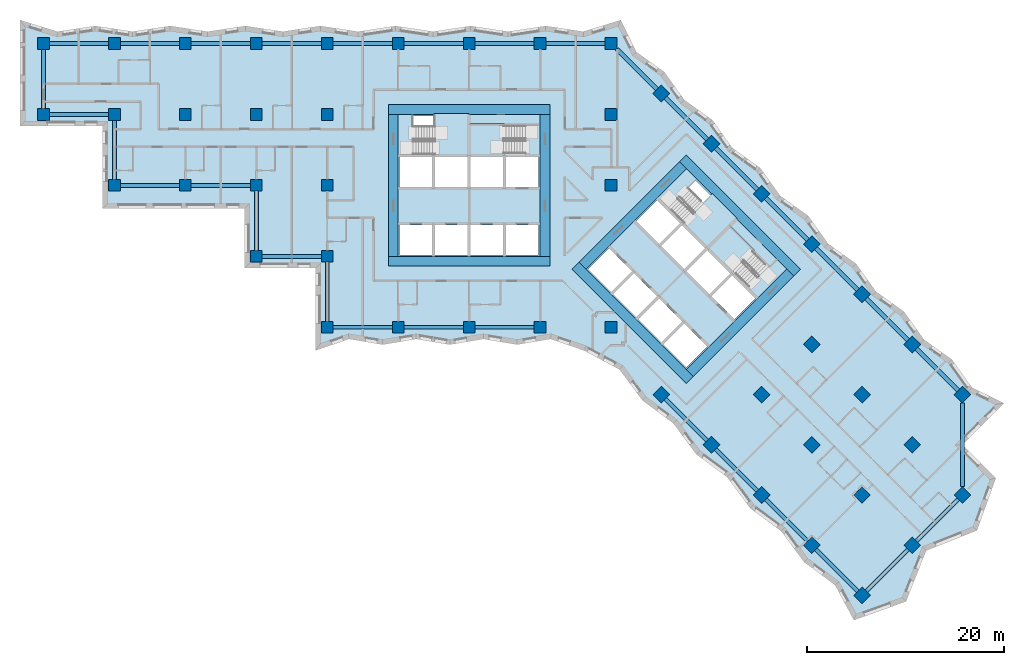
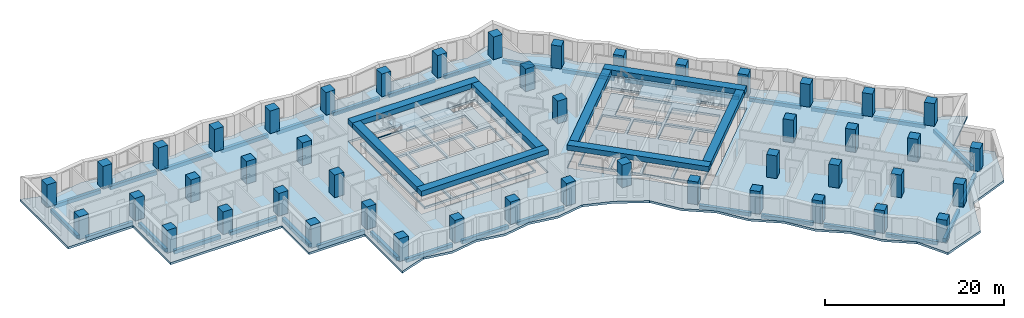
# One storey, part 1 of 12: 47 columns, 41 beams, 7 slabs, 22 openings, 4 elements without a shape of their own.
"""IFC4 building model written with IfcOpenShell, lengths in metres."""

from ifc_helpers import new_model, si_unit, direction, frame, origin, origin_2d, place, context, subcontext, project, spatial, polyline, rectangle, outline, extrude, material, layer, layer_set, material_profile, profile_set, type_object, element, aggregate, save


model = new_model("IFC4")

# Units and contexts
model_context = context("Model", 3, precision=1e-05, world=origin(), true_north=direction((0.0, 1.0)))
body_context = subcontext(model_context, "Body", "Model", "MODEL_VIEW")
ifc_project = project(units=[si_unit("LENGTHUNIT", "METRE"), si_unit("AREAUNIT", "SQUARE_METRE"), si_unit("VOLUMEUNIT", "CUBIC_METRE"), si_unit("PLANEANGLEUNIT", "RADIAN"), si_unit("MASSUNIT", "GRAM", prefix="KILO")], contexts=[model_context])

# Site, building, storey
site_placement = place(None, origin())
site = spatial("IfcSite", under=ifc_project, at=site_placement, CompositionType="ELEMENT")
building_placement = place(site_placement, origin())
building = spatial("IfcBuilding", under=site, at=building_placement, Name="Windrow Commons", CompositionType="ELEMENT")
storey_placement = place(building_placement, frame((0.0, 0.0, 57.6)))
storey = spatial("IfcBuildingStorey", under=building, at=storey_placement, Name="L15", CompositionType="ELEMENT", Elevation=57.6)

# Columns
ifc_material_1 = material(Name="Concrete C60/75", Category="concrete")
ifc_material_profile_1 = material_profile(ifc_material_1, rectangle(XDim=1.2, YDim=1.2, at=origin_2d()))
ifc_profile_set_1 = profile_set([ifc_material_profile_1], Name="Concrete C60/75")
column_type = type_object("IfcColumnType", Name="RC COLUMN 1200x1200 C60/75", PredefinedType="COLUMN", material=ifc_profile_set_1)
for number, where, z_axis, x_axis, name in (
    (1, (21.6, 64.8, 0.0), (0.0, 0.0, 1.0), (1.0, 0.0, 0.0), "C-Z1-04I"),
    (2, (21.6, 72.0, 0.0), (0.0, 0.0, 1.0), (1.0, 0.0, 0.0), "C-Z1-04J"),
    (3, (28.8, 57.6, 0.0), (0.0, 0.0, 1.0), (1.0, 0.0, 0.0), "C-Z1-05H"),
    (4, (28.8, 64.8, 0.0), (0.0, 0.0, 1.0), (1.0, 0.0, 0.0), "C-Z1-05I"),
    (5, (28.8, 72.0, 0.0), (0.0, 0.0, 1.0), (1.0, 0.0, 0.0), "C-Z1-05J"),
    (6, (36.0, 57.6, 0.0), (0.0, 0.0, 1.0), (1.0, 0.0, 0.0), "C-Z1-06H"),
    (7, (36.0, 64.8, 0.0), (0.0, 0.0, 1.0), (1.0, 0.0, 0.0), "C-Z1-06I"),
    (8, (36.0, 72.0, 0.0), (0.0, 0.0, 1.0), (1.0, 0.0, 0.0), "C-Z1-06J"),
    (9, (43.2, 50.4, 0.0), (0.0, 0.0, 1.0), (1.0, 0.0, 0.0), "C-Z1-07G"),
    (10, (43.2, 57.6, 0.0), (0.0, 0.0, 1.0), (1.0, 0.0, 0.0), "C-Z1-07H"),
    (11, (43.2, 64.8, 0.0), (0.0, 0.0, 1.0), (1.0, 0.0, 0.0), "C-Z1-07I"),
    (12, (43.2, 72.0, 0.0), (0.0, 0.0, 1.0), (1.0, 0.0, 0.0), "C-Z1-07J"),
    (13, (50.4, 43.2, 0.0), (0.0, 0.0, 1.0), (1.0, 0.0, 0.0), "C-Z1-08F"),
    (14, (50.4, 50.4, 0.0), (0.0, 0.0, 1.0), (1.0, 0.0, 0.0), "C-Z1-08G"),
    (15, (50.4, 57.6, 0.0), (0.0, 0.0, 1.0), (1.0, 0.0, 0.0), "C-Z1-08H"),
    (16, (50.4, 64.8, 0.0), (0.0, 0.0, 1.0), (1.0, 0.0, 0.0), "C-Z1-08I"),
    (17, (50.4, 72.0, 0.0), (0.0, 0.0, 1.0), (1.0, 0.0, 0.0), "C-Z1-08J"),
    (18, (57.6, 43.2, 0.0), (0.0, 0.0, 1.0), (1.0, 0.0, 0.0), "C-Z1-09F"),
    (19, (57.6, 72.0, 0.0), (0.0, 0.0, 1.0), (1.0, 0.0, 0.0), "C-Z1-09J"),
    (20, (64.8, 43.2, 0.0), (0.0, 0.0, 1.0), (1.0, 0.0, 0.0), "C-Z1-10F"),
    (21, (64.8, 72.0, 0.0), (0.0, 0.0, 1.0), (1.0, 0.0, 0.0), "C-Z1-10J"),
    (22, (72.0, 43.2, 0.0), (0.0, 0.0, 1.0), (1.0, 0.0, 0.0), "C-Z1-11F"),
    (23, (72.0, 72.0, 0.0), (0.0, 0.0, 1.0), (1.0, 0.0, 0.0), "C-Z1-11J"),
    (24, (79.2, 43.2, 0.0), (0.0, 0.0, 1.0), (1.0, 0.0, 0.0), "C-Z1-12F"),
    (25, (79.2, 57.6, 0.0), (0.0, 0.0, 1.0), (1.0, 0.0, 0.0), "C-Z1-12H"),
    (26, (79.2, 64.8, 0.0), (0.0, 0.0, 1.0), (1.0, 0.0, 0.0), "C-Z1-12I"),
    (27, (79.2, 72.0, 0.0), (0.0, 0.0, 1.0), (1.0, 0.0, 0.0), "C-Z1-12J"),
    (28, (84.2912, 66.9088, 0.0), (0.0, 0.0, 1.0), (0.7071067812, -0.7071067812, 0.0), "C-Z1-P2Q"),
    (29, (89.3823, 61.8177, 0.0), (0.0, 0.0, 1.0), (0.7071067812, -0.7071067812, 0.0), "C-Z1-P3Q"),
    (30, (94.4735, 56.7265, 0.0), (0.0, 0.0, 1.0), (0.7071067812, -0.7071067812, 0.0), "C-Z1-P4Q"),
    (31, (99.5647, 51.6353, 0.0), (0.0, 0.0, 1.0), (0.7071067812, -0.7071067812, 0.0), "C-Z1-P5Q"),
    (32, (84.2912, 36.3618, 0.0), (0.0, 0.0, 1.0), (0.7071067812, -0.7071067812, 0.0), "C-Z1-P5T"),
    (33, (104.6558, 46.5442, 0.0), (0.0, 0.0, 1.0), (0.7071067812, -0.7071067812, 0.0), "C-Z1-P6Q"),
    (34, (99.5647, 41.453, 0.0), (0.0, 0.0, 1.0), (0.7071067812, -0.7071067812, 0.0), "C-Z1-P6R"),
    (35, (94.4735, 36.3618, 0.0), (0.0, 0.0, 1.0), (0.7071067812, -0.7071067812, 0.0), "C-Z1-P6S"),
    (36, (89.3823, 31.2706, 0.0), (0.0, 0.0, 1.0), (0.7071067812, -0.7071067812, 0.0), "C-Z1-P6T"),
    (37, (109.747, 41.453, 0.0), (0.0, 0.0, 1.0), (0.7071067812, -0.7071067812, 0.0), "C-Z1-P7Q"),
    (38, (104.6558, 36.3618, 0.0), (0.0, 0.0, 1.0), (0.7071067812, -0.7071067812, 0.0), "C-Z1-P7R"),
    (39, (99.5647, 31.2706, 0.0), (0.0, 0.0, 1.0), (0.7071067812, -0.7071067812, 0.0), "C-Z1-P7S"),
    (40, (94.4735, 26.1795, 0.0), (0.0, 0.0, 1.0), (0.7071067812, -0.7071067812, 0.0), "C-Z1-P7T"),
    (41, (114.8382, 36.3618, 0.0), (0.0, 0.0, 1.0), (0.7071067812, -0.7071067812, 0.0), "C-Z1-P8Q"),
    (42, (109.747, 31.2706, 0.0), (0.0, 0.0, 1.0), (0.7071067812, -0.7071067812, 0.0), "C-Z1-P8R"),
    (43, (104.6558, 26.1795, 0.0), (0.0, 0.0, 1.0), (0.7071067812, -0.7071067812, 0.0), "C-Z1-P8S"),
    (44, (99.5647, 21.0883, 0.0), (0.0, 0.0, 1.0), (0.7071067812, -0.7071067812, 0.0), "C-Z1-P8T"),
    (45, (114.8382, 26.1795, 0.0), (0.0, 0.0, 1.0), (0.7071067812, -0.7071067812, 0.0), "C-Z1-P9R"),
    (46, (109.747, 21.0883, 0.0), (0.0, 0.0, 1.0), (0.7071067812, -0.7071067812, 0.0), "C-Z1-P9S"),
    (47, (104.6558, 15.9971, 0.0), (0.0, 0.0, 1.0), (0.7071067812, -0.7071067812, 0.0), "C-Z1-P9T"),
):
    element("IfcColumn", number, at=place(storey_placement, frame(where, z_axis=z_axis, x_axis=x_axis)), inside=storey, type_object=column_type, Name=name, PredefinedType="COLUMN", context=body_context, shape_type="SweptSolid", body=[
        extrude(rectangle(XDim=1.2, YDim=1.2, at=origin_2d()), origin(), (0.0, 0.0, 1.0), 3.1),
    ])

# Beams
ifc_material_2 = material(Name="Concrete C60/75", Category="concrete")
ifc_material_profile_2 = material_profile(ifc_material_2, rectangle(XDim=1.0, YDim=0.7, at=origin_2d()))
ifc_profile_set_2 = profile_set([ifc_material_profile_2], Name="Concrete C60/75")
beam_type_1 = type_object("IfcBeamType", Name="RC COUPLING BEAM 1000x700 C60/75", PredefinedType="LINTEL", material=ifc_profile_set_2)
for number, where, z_axis, x_axis, name in (
    (48, (56.6, 49.9, 2.75), (1.0, 0.0, 0.0), (0.0, 1.0, 0.0), "Core A coupling beam outer-S"),
    (49, (56.6, 65.3, 2.75), (1.0, 0.0, 0.0), (0.0, 1.0, 0.0), "Core A coupling beam outer-N"),
):
    element("IfcBeam", number, at=place(storey_placement, frame(where, z_axis=z_axis, x_axis=x_axis)), inside=storey, type_object=beam_type_1, Name=name, PredefinedType="LINTEL", context=body_context, shape_type="SweptSolid", body=[
        extrude(rectangle(XDim=1.0, YDim=0.7, at=origin_2d()), origin(), (0.0, 0.0, 1.0), 16.4),
    ])
for number, where, z_axis, x_axis, name in (
    (50, (57.1, 50.4, 2.75), (0.0, 1.0, 0.0), (-1.0, 0.0, 0.0), "Core A coupling beam outer-W"),
    (51, (72.5, 50.4, 2.75), (0.0, 1.0, 0.0), (-1.0, 0.0, 0.0), "Core A coupling beam outer-E"),
):
    element("IfcBeam", number, at=place(storey_placement, frame(where, z_axis=z_axis, x_axis=x_axis)), inside=storey, type_object=beam_type_1, Name=name, PredefinedType="LINTEL", context=body_context, shape_type="SweptSolid", body=[
        extrude(rectangle(XDim=1.0, YDim=0.7, at=origin_2d()), origin(), (0.0, 0.0, 1.0), 14.4),
    ])
for number, where, z_axis, x_axis, name in (
    (52, (75.5938, 49.4433, 2.75), (0.7071037324, -0.70710983, 0.0), (0.70710983, 0.7071037324, 0.0), "Core B coupling beam outer-S"),
    (53, (86.4832, 60.3327, 2.75), (0.70710983, -0.7071037324, 0.0), (0.7071037324, 0.70710983, 0.0), "Core B coupling beam outer-N"),
):
    element("IfcBeam", number, at=place(storey_placement, frame(where, z_axis=z_axis, x_axis=x_axis)), inside=storey, type_object=beam_type_1, Name=name, PredefinedType="LINTEL", context=body_context, shape_type="SweptSolid", body=[
        extrude(rectangle(XDim=1.0, YDim=0.7, at=origin_2d()), origin(), (0.0, 0.0, 1.0), 16.4),
    ])
beam_1_placement = place(storey_placement, frame((76.3009, 49.4433, 2.75), z_axis=(0.7071067812, 0.7071067812, 0.0), x_axis=(-0.7071067812, 0.7071067812, 0.0)))
element("IfcBeam", 54, at=beam_1_placement, inside=storey, type_object=beam_type_1, Name="Core B coupling beam outer-W", PredefinedType="LINTEL", context=body_context, shape_type="SweptSolid", body=[
    extrude(rectangle(XDim=1.0, YDim=0.7, at=origin_2d()), origin(), (0.0, 0.0, 1.0), 14.3999),
])
beam_2_placement = place(storey_placement, frame((87.1903, 38.5538, 2.75), z_axis=(0.707103309, 0.7071102534, 0.0), x_axis=(-0.7071102534, 0.707103309, 0.0)))
element("IfcBeam", 55, at=beam_2_placement, inside=storey, type_object=beam_type_1, Name="Core B coupling beam outer-E", PredefinedType="LINTEL", context=body_context, shape_type="SweptSolid", body=[
    extrude(rectangle(XDim=1.0, YDim=0.7, at=origin_2d()), origin(), (0.0, 0.0, 1.0), 14.4),
])
ifc_material_3 = material(Name="Concrete C60/75", Category="concrete")
ifc_material_profile_3 = material_profile(ifc_material_3, rectangle(XDim=0.4, YDim=0.5, at=origin_2d()))
ifc_profile_set_3 = profile_set([ifc_material_profile_3], Name="Concrete C60/75")
beam_type_2 = type_object("IfcBeamType", Name="RC EDGE BEAM 400x500 C60/75", PredefinedType="SPANDREL", material=ifc_profile_set_3)
for number, where, z_axis, x_axis, name in (
    (56, (49.8, 50.4, -0.55), (-1.0, 0.0, 0.0), (0.0, -1.0, 0.0), "Edge beam L15 001"),
    (57, (43.2, 51.0, -0.55), (0.0, 1.0, 0.0), (-1.0, 0.0, 0.0), "Edge beam L15 002"),
    (58, (42.6, 57.6, -0.55), (-1.0, 0.0, 0.0), (0.0, -1.0, 0.0), "Edge beam L15 003"),
    (59, (35.4, 57.6, -0.55), (-1.0, 0.0, 0.0), (0.0, -1.0, 0.0), "Edge beam L15 004"),
    (60, (28.8, 58.2, -0.55), (0.0, 1.0, 0.0), (-1.0, 0.0, 0.0), "Edge beam L15 005"),
    (61, (28.2, 64.8, -0.55), (-1.0, 0.0, 0.0), (0.0, -1.0, 0.0), "Edge beam L15 006"),
    (62, (21.6, 65.4, -0.55), (0.0, 1.0, 0.0), (-1.0, 0.0, 0.0), "Edge beam L15 007"),
    (63, (22.2, 72.0, -0.55), (1.0, 0.0, 0.0), (0.0, 1.0, 0.0), "Edge beam L15 008"),
    (64, (29.4, 72.0, -0.55), (1.0, 0.0, 0.0), (0.0, 1.0, 0.0), "Edge beam L15 009"),
    (65, (36.6, 72.0, -0.55), (1.0, 0.0, 0.0), (0.0, 1.0, 0.0), "Edge beam L15 010"),
    (66, (43.8, 72.0, -0.55), (1.0, 0.0, 0.0), (0.0, 1.0, 0.0), "Edge beam L15 011"),
    (67, (51.0, 72.0, -0.55), (1.0, 0.0, 0.0), (0.0, 1.0, 0.0), "Edge beam L15 012"),
    (68, (58.2, 72.0, -0.55), (1.0, 0.0, 0.0), (0.0, 1.0, 0.0), "Edge beam L15 013"),
    (69, (65.4, 72.0, -0.55), (1.0, 0.0, 0.0), (0.0, 1.0, 0.0), "Edge beam L15 014"),
    (70, (72.6, 72.0, -0.55), (1.0, 0.0, 0.0), (0.0, 1.0, 0.0), "Edge beam L15 015"),
):
    element("IfcBeam", number, at=place(storey_placement, frame(where, z_axis=z_axis, x_axis=x_axis)), inside=storey, type_object=beam_type_2, Name=name, PredefinedType="SPANDREL", context=body_context, shape_type="SweptSolid", body=[
        extrude(rectangle(XDim=0.4, YDim=0.5, at=origin_2d()), origin(), (0.0, 0.0, 1.0), 6.0),
    ])
beam_3_placement = place(storey_placement, frame((79.8, 71.4, -0.55), z_axis=(0.7071067812, -0.7071067812, 0.0), x_axis=(0.7071067812, 0.7071067812, 0.0)))
element("IfcBeam", 71, at=beam_3_placement, inside=storey, type_object=beam_type_2, Name="Edge beam L15 016", PredefinedType="SPANDREL", context=body_context, shape_type="SweptSolid", body=[
    extrude(rectangle(XDim=0.4, YDim=0.5, at=origin_2d()), origin(), (0.0, 0.0, 1.0), 5.7515),
])
beam_4_placement = place(storey_placement, frame((84.7155, 66.4845, -0.55), z_axis=(0.7071067812, -0.7071067812, 0.0), x_axis=(0.7071067812, 0.7071067812, 0.0)))
element("IfcBeam", 72, at=beam_4_placement, inside=storey, type_object=beam_type_2, Name="Edge beam L15 017", PredefinedType="SPANDREL", context=body_context, shape_type="SweptSolid", body=[
    extrude(rectangle(XDim=0.4, YDim=0.5, at=origin_2d()), origin(), (0.0, 0.0, 1.0), 5.9998),
])
for number, where, z_axis, x_axis, name in (
    (73, (89.8066, 61.3934, -0.55), (0.7071067812, -0.7071067812, 0.0), (0.7071067812, 0.7071067812, 0.0), "Edge beam L15 018"),
    (74, (94.8978, 56.3022, -0.55), (0.7071067812, -0.7071067812, 0.0), (0.7071067812, 0.7071067812, 0.0), "Edge beam L15 019"),
):
    element("IfcBeam", number, at=place(storey_placement, frame(where, z_axis=z_axis, x_axis=x_axis)), inside=storey, type_object=beam_type_2, Name=name, PredefinedType="SPANDREL", context=body_context, shape_type="SweptSolid", body=[
        extrude(rectangle(XDim=0.4, YDim=0.5, at=origin_2d()), origin(), (0.0, 0.0, 1.0), 5.9999),
    ])
beam_5_placement = place(storey_placement, frame((99.989, 51.211, -0.55), z_axis=(0.7071067812, -0.7071067812, 0.0), x_axis=(0.7071067812, 0.7071067812, 0.0)))
element("IfcBeam", 75, at=beam_5_placement, inside=storey, type_object=beam_type_2, Name="Edge beam L15 020", PredefinedType="SPANDREL", context=body_context, shape_type="SweptSolid", body=[
    extrude(rectangle(XDim=0.4, YDim=0.5, at=origin_2d()), origin(), (0.0, 0.0, 1.0), 5.9998),
])
for number, where, z_axis, x_axis, name in (
    (76, (105.0801, 46.1199, -0.55), (0.7071067812, -0.7071067812, 0.0), (0.7071067812, 0.7071067812, 0.0), "Edge beam L15 021"),
    (77, (110.1713, 41.0287, -0.55), (0.7071067812, -0.7071067812, 0.0), (0.7071067812, 0.7071067812, 0.0), "Edge beam L15 022"),
):
    element("IfcBeam", number, at=place(storey_placement, frame(where, z_axis=z_axis, x_axis=x_axis)), inside=storey, type_object=beam_type_2, Name=name, PredefinedType="SPANDREL", context=body_context, shape_type="SweptSolid", body=[
        extrude(rectangle(XDim=0.4, YDim=0.5, at=origin_2d()), origin(), (0.0, 0.0, 1.0), 5.9999),
    ])
beam_6_placement = place(storey_placement, frame((114.8382, 35.5133, -0.55), z_axis=(0.0, -1.0, 0.0), x_axis=(1.0, 0.0, 0.0)))
element("IfcBeam", 78, at=beam_6_placement, inside=storey, type_object=beam_type_2, Name="Edge beam L15 023", PredefinedType="SPANDREL", context=body_context, shape_type="SweptSolid", body=[
    extrude(rectangle(XDim=0.4, YDim=0.5, at=origin_2d()), origin(), (0.0, 0.0, 1.0), 8.4853),
])
for number, where, z_axis, x_axis, name in (
    (79, (114.4139, 25.7552, -0.55), (-0.7071067812, -0.7071067812, 0.0), (0.7071067812, -0.7071067812, 0.0), "Edge beam L15 024"),
    (80, (109.3227, 20.664, -0.55), (-0.7071067812, -0.7071067812, 0.0), (0.7071067812, -0.7071067812, 0.0), "Edge beam L15 025"),
    (81, (104.2315, 16.4214, -0.55), (-0.7070984476, 0.7071151146, 0.0), (-0.7071151146, -0.7070984476, 0.0), "Edge beam L15 026"),
    (82, (99.1404, 21.5126, -0.55), (-0.7071067812, 0.7071067812, 0.0), (-0.7071067812, -0.7071067812, 0.0), "Edge beam L15 027"),
    (83, (94.0492, 26.6038, -0.55), (-0.7071151146, 0.7070984476, 0.0), (-0.7070984476, -0.7071151146, 0.0), "Edge beam L15 028"),
    (84, (88.958, 31.6949, -0.55), (-0.7070984476, 0.7071151146, 0.0), (-0.7071151146, -0.7070984476, 0.0), "Edge beam L15 029"),
):
    element("IfcBeam", number, at=place(storey_placement, frame(where, z_axis=z_axis, x_axis=x_axis)), inside=storey, type_object=beam_type_2, Name=name, PredefinedType="SPANDREL", context=body_context, shape_type="SweptSolid", body=[
        extrude(rectangle(XDim=0.4, YDim=0.5, at=origin_2d()), origin(), (0.0, 0.0, 1.0), 5.9999),
    ])
for number, where, z_axis, x_axis, name in (
    (85, (71.4, 43.2, -0.55), (-1.0, 0.0, 0.0), (0.0, -1.0, 0.0), "Edge beam L15 030"),
    (86, (64.2, 43.2, -0.55), (-1.0, 0.0, 0.0), (0.0, -1.0, 0.0), "Edge beam L15 031"),
    (87, (57.0, 43.2, -0.55), (-1.0, 0.0, 0.0), (0.0, -1.0, 0.0), "Edge beam L15 032"),
    (88, (50.4, 43.8, -0.55), (0.0, 1.0, 0.0), (-1.0, 0.0, 0.0), "Edge beam L15 033"),
):
    element("IfcBeam", number, at=place(storey_placement, frame(where, z_axis=z_axis, x_axis=x_axis)), inside=storey, type_object=beam_type_2, Name=name, PredefinedType="SPANDREL", context=body_context, shape_type="SweptSolid", body=[
        extrude(rectangle(XDim=0.4, YDim=0.5, at=origin_2d()), origin(), (0.0, 0.0, 1.0), 6.0),
    ])

# Slab, openings
ifc_material_4 = material(Name="Concrete C60/75", Category="concrete")
ifc_layer_1 = layer(ifc_material_4, 0.3)
ifc_layer_set_1 = layer_set([ifc_layer_1], Name="CORE FLOOR SLAB 300 C60/75")
slab_type_1 = type_object("IfcSlabType", Name="CORE FLOOR SLAB 300 C60/75", PredefinedType="FLOOR", material=ifc_layer_set_1)
placement_1 = place(storey_placement, frame((0.0, 0.0, -0.3)))
slab_1 = element("IfcSlab", 89, at=placement_1, inside=storey, type_object=slab_type_1, Name="S-L15-core-A", PredefinedType="FLOOR", context=body_context, shape_type="SweptSolid", body=[
    extrude(outline(polyline([(57.6, 50.4), (72.0, 50.4), (72.0, 64.8), (57.6, 64.8), (57.6, 50.4)]), holes=[polyline([(57.75, 50.55), (61.05, 50.55), (61.05, 53.55), (57.75, 53.55), (57.75, 50.55)]), polyline([(61.35, 50.55), (64.65, 50.55), (64.65, 53.55), (61.35, 53.55), (61.35, 50.55)]), polyline([(64.95, 50.55), (68.25, 50.55), (68.25, 53.55), (64.95, 53.55), (64.95, 50.55)]), polyline([(68.55, 50.55), (71.85, 50.55), (71.85, 53.55), (68.55, 53.55), (68.55, 50.55)]), polyline([(57.75, 57.45), (61.05, 57.45), (61.05, 60.45), (57.75, 60.45), (57.75, 57.45)]), polyline([(61.35, 57.45), (64.65, 57.45), (64.65, 60.45), (61.35, 60.45), (61.35, 57.45)]), polyline([(64.95, 57.45), (68.25, 57.45), (68.25, 60.45), (64.95, 60.45), (64.95, 57.45)]), polyline([(68.55, 57.45), (71.85, 57.45), (71.85, 60.45), (68.55, 60.45), (68.55, 57.45)]), polyline([(59.1, 60.75), (64.65, 60.75), (64.65, 64.65), (59.1, 64.65), (59.1, 60.75)]), polyline([(64.95, 60.75), (70.5, 60.75), (70.5, 63.705), (64.95, 63.705), (64.95, 60.75)])]), origin(), (0.0, 0.0, 1.0), 0.3),
])
opening_1_placement = place(placement_1, origin())
element("IfcOpeningElement", 90, at=opening_1_placement, cuts=slab_1, Name="Slab opening S-L15-core-A 1", PredefinedType="OPENING", context=body_context, shape_type="SweptSolid", body=[
    extrude(outline(polyline([(57.755, 50.555), (57.755, 53.545), (61.045, 53.545), (61.045, 50.555), (57.755, 50.555)])), origin(), (0.0, 0.0, 1.0), 0.3),
])
opening_2_placement = place(placement_1, origin())
element("IfcOpeningElement", 91, at=opening_2_placement, cuts=slab_1, Name="Slab opening S-L15-core-A 2", PredefinedType="OPENING", context=body_context, shape_type="SweptSolid", body=[
    extrude(outline(polyline([(61.355, 50.555), (61.355, 53.545), (64.645, 53.545), (64.645, 50.555), (61.355, 50.555)])), origin(), (0.0, 0.0, 1.0), 0.3),
])
opening_3_placement = place(placement_1, origin())
element("IfcOpeningElement", 92, at=opening_3_placement, cuts=slab_1, Name="Slab opening S-L15-core-A 3", PredefinedType="OPENING", context=body_context, shape_type="SweptSolid", body=[
    extrude(outline(polyline([(64.955, 50.555), (64.955, 53.545), (68.245, 53.545), (68.245, 50.555), (64.955, 50.555)])), origin(), (0.0, 0.0, 1.0), 0.3),
])
opening_4_placement = place(placement_1, origin())
element("IfcOpeningElement", 93, at=opening_4_placement, cuts=slab_1, Name="Slab opening S-L15-core-A 4", PredefinedType="OPENING", context=body_context, shape_type="SweptSolid", body=[
    extrude(outline(polyline([(68.555, 50.555), (68.555, 53.545), (71.845, 53.545), (71.845, 50.555), (68.555, 50.555)])), origin(), (0.0, 0.0, 1.0), 0.3),
])
opening_5_placement = place(placement_1, origin())
element("IfcOpeningElement", 94, at=opening_5_placement, cuts=slab_1, Name="Slab opening S-L15-core-A 5", PredefinedType="OPENING", context=body_context, shape_type="SweptSolid", body=[
    extrude(outline(polyline([(57.755, 57.455), (57.755, 60.445), (61.045, 60.445), (61.045, 57.455), (57.755, 57.455)])), origin(), (0.0, 0.0, 1.0), 0.3),
])
opening_6_placement = place(placement_1, origin())
element("IfcOpeningElement", 95, at=opening_6_placement, cuts=slab_1, Name="Slab opening S-L15-core-A 6", PredefinedType="OPENING", context=body_context, shape_type="SweptSolid", body=[
    extrude(outline(polyline([(61.355, 57.455), (61.355, 60.445), (64.645, 60.445), (64.645, 57.455), (61.355, 57.455)])), origin(), (0.0, 0.0, 1.0), 0.3),
])
opening_7_placement = place(placement_1, origin())
element("IfcOpeningElement", 96, at=opening_7_placement, cuts=slab_1, Name="Slab opening S-L15-core-A 7", PredefinedType="OPENING", context=body_context, shape_type="SweptSolid", body=[
    extrude(outline(polyline([(64.955, 57.455), (64.955, 60.445), (68.245, 60.445), (68.245, 57.455), (64.955, 57.455)])), origin(), (0.0, 0.0, 1.0), 0.3),
])
opening_8_placement = place(placement_1, origin())
element("IfcOpeningElement", 97, at=opening_8_placement, cuts=slab_1, Name="Slab opening S-L15-core-A 8", PredefinedType="OPENING", context=body_context, shape_type="SweptSolid", body=[
    extrude(outline(polyline([(68.555, 57.455), (68.555, 60.445), (71.845, 60.445), (71.845, 57.455), (68.555, 57.455)])), origin(), (0.0, 0.0, 1.0), 0.3),
])
opening_9_placement = place(placement_1, origin())
element("IfcOpeningElement", 98, at=opening_9_placement, cuts=slab_1, Name="Slab opening S-L15-core-A 9", PredefinedType="OPENING", context=body_context, shape_type="SweptSolid", body=[
    extrude(outline(polyline([(59.105, 60.755), (59.105, 64.645), (64.645, 64.645), (64.645, 60.755), (59.105, 60.755)])), origin(), (0.0, 0.0, 1.0), 0.3),
])
opening_10_placement = place(placement_1, origin())
element("IfcOpeningElement", 99, at=opening_10_placement, cuts=slab_1, Name="Slab opening S-L15-core-A 10", PredefinedType="OPENING", context=body_context, shape_type="SweptSolid", body=[
    extrude(outline(polyline([(64.955, 60.755), (64.955, 63.7), (70.495, 63.7), (70.495, 60.755), (64.955, 60.755)])), origin(), (0.0, 0.0, 1.0), 0.3),
])

slab_2 = element("IfcSlab", 100, at=placement_1, inside=storey, type_object=slab_type_1, Name="S-L15-core-B", PredefinedType="FLOOR", context=body_context, shape_type="SweptSolid", body=[
    extrude(outline(polyline([(76.6544, 49.0897), (86.8368, 38.9074), (97.0191, 49.0897), (86.8368, 59.2721), (76.6544, 49.0897)]), holes=[polyline([(76.8665, 49.0897), (79.2, 46.7563), (81.3213, 48.8776), (78.9879, 51.2111), (76.8665, 49.0897)]), polyline([(79.4121, 46.5442), (81.7456, 44.2107), (83.8669, 46.332), (81.5335, 48.6655), (79.4121, 46.5442)]), polyline([(81.9577, 43.9986), (84.2912, 41.6651), (86.4125, 43.7864), (84.079, 46.1199), (81.9577, 43.9986)]), polyline([(84.5033, 41.453), (86.8368, 39.1195), (88.9581, 41.2409), (86.6246, 43.5743), (84.5033, 41.453)]), polyline([(81.7456, 53.9688), (84.079, 51.6353), (86.2004, 53.7566), (83.8669, 56.0901), (81.7456, 53.9688)]), polyline([(84.2912, 51.4232), (86.6246, 49.0897), (88.7459, 51.2111), (86.4125, 53.5445), (84.2912, 51.4232)]), polyline([(86.8368, 48.8776), (89.1702, 46.5442), (91.2915, 48.6655), (88.9581, 50.9989), (86.8368, 48.8776)]), polyline([(89.3823, 46.332), (91.7158, 43.9986), (93.8371, 46.1199), (91.5037, 48.4533), (89.3823, 46.332)]), polyline([(85.0336, 55.3476), (88.9581, 51.4232), (91.7158, 54.1809), (87.7913, 58.1054), (85.0336, 55.3476)]), polyline([(89.1702, 51.2111), (93.0946, 47.2866), (95.1841, 49.3761), (91.2597, 53.3006), (89.1702, 51.2111)])]), origin(), (0.0, 0.0, 1.0), 0.3),
])
opening_11_placement = place(placement_1, origin())
element("IfcOpeningElement", 101, at=opening_11_placement, cuts=slab_2, Name="Slab opening S-L15-core-B 1", PredefinedType="OPENING", context=body_context, shape_type="SweptSolid", body=[
    extrude(outline(polyline([(76.8736, 49.0897), (78.9879, 51.204), (81.3142, 48.8776), (79.2, 46.7634), (76.8736, 49.0897)])), origin(), (0.0, 0.0, 1.0), 0.3),
])
opening_12_placement = place(placement_1, origin())
element("IfcOpeningElement", 102, at=opening_12_placement, cuts=slab_2, Name="Slab opening S-L15-core-B 2", PredefinedType="OPENING", context=body_context, shape_type="SweptSolid", body=[
    extrude(outline(polyline([(79.4192, 46.5442), (81.5335, 48.6584), (83.8598, 46.332), (81.7456, 44.2178), (79.4192, 46.5442)])), origin(), (0.0, 0.0, 1.0), 0.3),
])
opening_13_placement = place(placement_1, origin())
element("IfcOpeningElement", 103, at=opening_13_placement, cuts=slab_2, Name="Slab opening S-L15-core-B 3", PredefinedType="OPENING", context=body_context, shape_type="SweptSolid", body=[
    extrude(outline(polyline([(81.9648, 43.9986), (84.079, 46.1128), (86.4054, 43.7864), (84.2912, 41.6722), (81.9648, 43.9986)])), origin(), (0.0, 0.0, 1.0), 0.3),
])
opening_14_placement = place(placement_1, origin())
element("IfcOpeningElement", 104, at=opening_14_placement, cuts=slab_2, Name="Slab opening S-L15-core-B 4", PredefinedType="OPENING", context=body_context, shape_type="SweptSolid", body=[
    extrude(outline(polyline([(84.5104, 41.453), (86.6246, 43.5672), (88.951, 41.2409), (86.8368, 39.1266), (84.5104, 41.453)])), origin(), (0.0, 0.0, 1.0), 0.3),
])
opening_15_placement = place(placement_1, origin())
element("IfcOpeningElement", 105, at=opening_15_placement, cuts=slab_2, Name="Slab opening S-L15-core-B 5", PredefinedType="OPENING", context=body_context, shape_type="SweptSolid", body=[
    extrude(outline(polyline([(81.7527, 53.9688), (83.8669, 56.083), (86.1933, 53.7566), (84.079, 51.6424), (81.7527, 53.9688)])), origin(), (0.0, 0.0, 1.0), 0.3),
])
opening_16_placement = place(placement_1, origin())
element("IfcOpeningElement", 106, at=opening_16_placement, cuts=slab_2, Name="Slab opening S-L15-core-B 6", PredefinedType="OPENING", context=body_context, shape_type="SweptSolid", body=[
    extrude(outline(polyline([(84.2983, 51.4232), (86.4125, 53.5374), (88.7388, 51.2111), (86.6246, 49.0968), (84.2983, 51.4232)])), origin(), (0.0, 0.0, 1.0), 0.3),
])
opening_17_placement = place(placement_1, origin())
element("IfcOpeningElement", 107, at=opening_17_placement, cuts=slab_2, Name="Slab opening S-L15-core-B 7", PredefinedType="OPENING", context=body_context, shape_type="SweptSolid", body=[
    extrude(outline(polyline([(86.8439, 48.8776), (88.9581, 50.9918), (91.2844, 48.6655), (89.1702, 46.5513), (86.8439, 48.8776)])), origin(), (0.0, 0.0, 1.0), 0.3),
])
opening_18_placement = place(placement_1, origin())
element("IfcOpeningElement", 108, at=opening_18_placement, cuts=slab_2, Name="Slab opening S-L15-core-B 8", PredefinedType="OPENING", context=body_context, shape_type="SweptSolid", body=[
    extrude(outline(polyline([(89.3894, 46.332), (91.5037, 48.4462), (93.83, 46.1199), (91.7158, 44.0057), (89.3894, 46.332)])), origin(), (0.0, 0.0, 1.0), 0.3),
])
opening_19_placement = place(placement_1, origin())
element("IfcOpeningElement", 109, at=opening_19_placement, cuts=slab_2, Name="Slab opening S-L15-core-B 9", PredefinedType="OPENING", context=body_context, shape_type="SweptSolid", body=[
    extrude(outline(polyline([(85.0407, 55.3476), (87.7913, 58.0983), (91.7087, 54.1809), (88.9581, 51.4303), (85.0407, 55.3476)])), origin(), (0.0, 0.0, 1.0), 0.3),
])
opening_20_placement = place(placement_1, origin())
element("IfcOpeningElement", 110, at=opening_20_placement, cuts=slab_2, Name="Slab opening S-L15-core-B 10", PredefinedType="OPENING", context=body_context, shape_type="SweptSolid", body=[
    extrude(outline(polyline([(89.1773, 51.2111), (91.2597, 53.2935), (95.177, 49.3761), (93.0946, 47.2937), (89.1773, 51.2111)])), origin(), (0.0, 0.0, 1.0), 0.3),
])

# Stair, slab
ifc_material_5 = material(Name="Concrete C40/50", Category="concrete")
stair_type = type_object("IfcStairType", Name="Core stair", PredefinedType="HALF_TURN_STAIR", material=ifc_material_5)
placement_2 = place(storey_placement, origin())
stair_1 = element("IfcStair", 111, at=placement_2, inside=storey, type_object=stair_type, Name="L15 Exit stair A1 core A", PredefinedType="HALF_TURN_STAIR")
ifc_material_6 = material(Name="Concrete C40/50", Category="concrete")
ifc_layer_2 = layer(ifc_material_6, 0.2)
ifc_layer_set_2 = layer_set([ifc_layer_2], Name="Core stair landing")
slab_type_2 = type_object("IfcSlabType", Name="Core stair landing", PredefinedType="LANDING", material=ifc_layer_set_2)
placement_3 = place(storey_placement, frame((0.0, 0.0, 1.5)))
slab_3 = element("IfcSlab", 112, at=placement_3, type_object=slab_type_2, Name="ST-A1 landing 1", PredefinedType="LANDING", context=body_context, shape_type="SweptSolid", body=[
    extrude(outline(polyline([(61.22, 60.5), (64.8, 60.5), (64.8, 64.9), (61.22, 64.9), (61.22, 60.5)])), origin(), (0.0, 0.0, 1.0), 0.2),
])
aggregate(stair_1, [slab_3])

stair_2 = element("IfcStair", 113, at=placement_2, inside=storey, type_object=stair_type, Name="L15 Exit stair A2 core A", PredefinedType="HALF_TURN_STAIR")
slab_4 = element("IfcSlab", 114, at=placement_3, type_object=slab_type_2, Name="ST-A2 landing 1", PredefinedType="LANDING", context=body_context, shape_type="SweptSolid", body=[
    extrude(outline(polyline([(64.8, 60.5), (68.38, 60.5), (68.38, 63.855), (64.8, 63.855), (64.8, 60.5)])), origin(), (0.0, 0.0, 1.0), 0.2),
])
aggregate(stair_2, [slab_4])

stair_3 = element("IfcStair", 115, at=placement_2, inside=storey, type_object=stair_type, Name="L15 Exit stair B1 core B", PredefinedType="HALF_TURN_STAIR")
slab_5 = element("IfcSlab", 116, at=placement_3, type_object=slab_type_2, Name="ST-B1 landing 1", PredefinedType="LANDING", context=body_context, shape_type="SweptSolid", body=[
    extrude(outline(polyline([(86.3559, 53.6718), (88.8874, 51.1403), (91.9986, 54.2516), (89.4672, 56.7831), (86.3559, 53.6718)])), origin(), (0.0, 0.0, 1.0), 0.2),
])
aggregate(stair_3, [slab_5])

stair_4 = element("IfcStair", 117, at=placement_2, inside=storey, type_object=stair_type, Name="L15 Exit stair B2 core B", PredefinedType="HALF_TURN_STAIR")
slab_6 = element("IfcSlab", 118, at=placement_3, type_object=slab_type_2, Name="ST-B2 landing 1", PredefinedType="LANDING", context=body_context, shape_type="SweptSolid", body=[
    extrude(outline(polyline([(88.8874, 51.1403), (91.4188, 48.6089), (93.7911, 50.9812), (91.2597, 53.5127), (88.8874, 51.1403)])), origin(), (0.0, 0.0, 1.0), 0.2),
])
aggregate(stair_4, [slab_6])

# Slab, openings
ifc_material_7 = material(Name="Concrete C60/75", Category="concrete")
ifc_layer_3 = layer(ifc_material_7, 0.3)
ifc_layer_set_3 = layer_set([ifc_layer_3], Name="FLOOR SLAB 300 C60/75")
slab_type_3 = type_object("IfcSlabType", Name="FLOOR SLAB 300 C60/75", PredefinedType="FLOOR", material=ifc_layer_set_3)
slab_7 = element("IfcSlab", 119, at=placement_1, inside=storey, type_object=slab_type_3, Name="S-L15-floor", PredefinedType="FLOOR", context=body_context, shape_type="SweptSolid", body=[
    extrude(outline(polyline([(101.9201, 17.0358), (103.8271, 13.4714), (109.1254, 15.3756), (111.1711, 20.5325), (116.328, 22.5782), (118.2323, 27.8765), (114.8382, 31.2706), (119.061, 35.4935), (115.8024, 37.0947), (113.7769, 39.9291), (110.9426, 41.9545), (108.9171, 44.7889), (106.0828, 46.8143), (104.0573, 49.6487), (101.223, 51.6741), (99.1975, 54.5085), (96.3632, 56.5339), (94.3377, 59.3683), (91.5033, 61.3938), (89.4779, 64.2281), (86.6435, 66.2536), (84.6181, 69.0879), (81.7837, 71.1134), (80.1826, 74.372), (76.3729, 73.2), (72.5632, 73.772), (68.7536, 73.2), (64.9439, 73.772), (61.1343, 73.2), (57.3246, 73.772), (53.5149, 73.2), (49.7053, 73.772), (45.8956, 73.2), (42.086, 73.772), (38.2763, 73.2), (34.4666, 73.772), (30.657, 73.2), (26.8473, 73.772), (23.0377, 73.2), (19.228, 74.372), (19.228, 63.6), (27.6, 63.6), (27.6, 55.228), (42.0, 55.228), (42.0, 49.2), (49.2, 49.2), (49.2, 40.828), (52.6088, 42.0), (56.0176, 41.428), (59.4264, 42.0), (62.8352, 41.428), (66.244, 42.0), (69.6528, 41.428), (73.0616, 42.0), (76.4704, 40.828), (80.0348, 38.9211), (82.366, 35.7809), (85.5062, 33.4497), (87.8374, 30.3096), (90.9775, 27.9784), (93.3087, 24.8383), (96.4488, 22.5071), (98.78, 19.367), (101.9201, 17.0358)]), holes=[polyline([(75.2402, 49.0897), (86.8368, 60.6863), (98.4333, 49.0897), (86.8368, 37.4932), (75.2402, 49.0897)]), polyline([(56.6, 49.4), (56.6, 65.8), (73.0, 65.8), (73.0, 49.4), (56.6, 49.4)])]), origin(), (0.0, 0.0, 1.0), 0.3),
])
opening_21_placement = place(placement_1, origin())
element("IfcOpeningElement", 120, at=opening_21_placement, cuts=slab_7, Name="Slab opening S-L15-floor 1", PredefinedType="OPENING", context=body_context, shape_type="SweptSolid", body=[
    extrude(outline(polyline([(75.2473, 49.0897), (86.8368, 60.6792), (98.4262, 49.0897), (86.8368, 37.5003), (75.2473, 49.0897)])), origin(), (0.0, 0.0, 1.0), 0.3),
])
opening_22_placement = place(placement_1, origin())
element("IfcOpeningElement", 121, at=opening_22_placement, cuts=slab_7, Name="Slab opening S-L15-floor 2", PredefinedType="OPENING", context=body_context, shape_type="SweptSolid", body=[
    extrude(outline(polyline([(56.605, 49.405), (56.605, 65.795), (72.995, 65.795), (72.995, 49.405), (56.605, 49.405)])), origin(), (0.0, 0.0, 1.0), 0.3),
])

save(model, "model.ifc")
